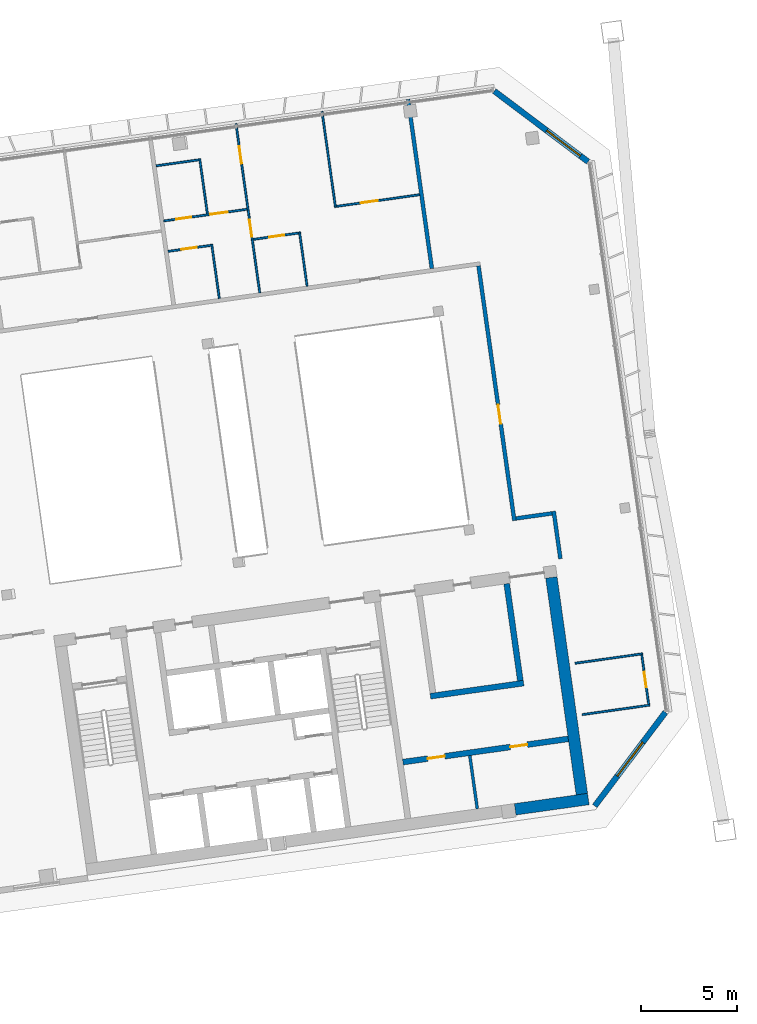
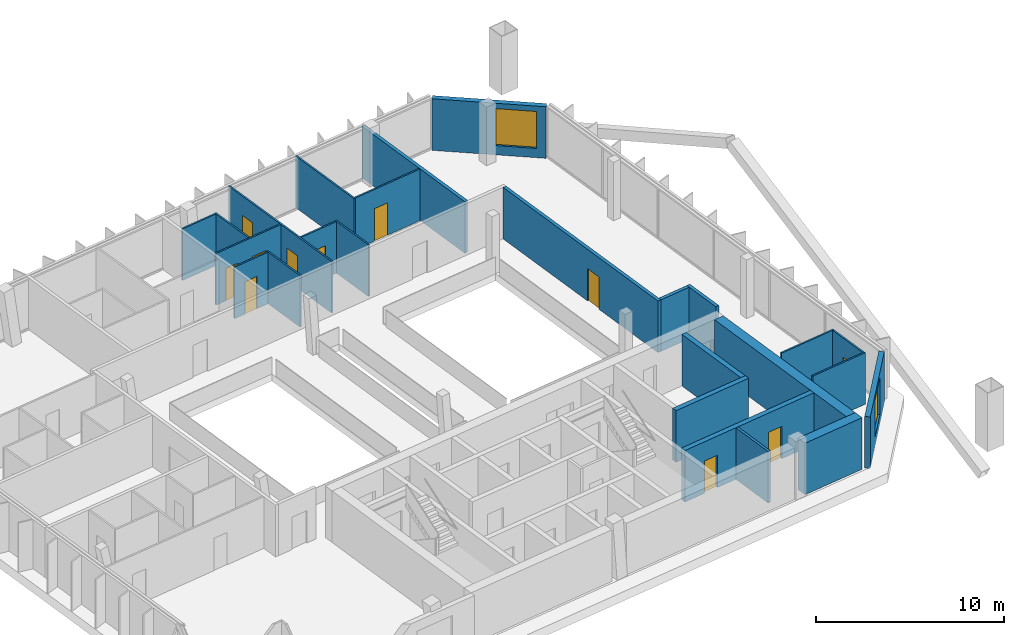
# One storey, part 16 of 19: 25 walls, 11 doors, 2 windows, 13 openings.
"""IFC4 building model written with IfcOpenShell, lengths in metres."""

from ifc_helpers import new_model, si_unit, direction, frame, frame_2d, origin, place, context, subcontext, project, spatial, rectangle, extrude, material, layer, layer_set, type_object, element, fill, save


model = new_model("IFC4")

# Units and contexts
model_context = context("Model", 3, precision=1e-05, world=origin(), true_north=direction((0.0, 1.0)))
body_context = subcontext(model_context, "Body", "Model", "MODEL_VIEW")
ifc_project = project(units=[si_unit("LENGTHUNIT", "METRE"), si_unit("AREAUNIT", "SQUARE_METRE"), si_unit("VOLUMEUNIT", "CUBIC_METRE"), si_unit("PLANEANGLEUNIT", "RADIAN"), si_unit("MASSUNIT", "GRAM", prefix="KILO")], contexts=[model_context])

# Site, building, storey
site_placement = place(None, origin())
site = spatial("IfcSite", under=ifc_project, at=site_placement, CompositionType="ELEMENT")
building_placement = place(site_placement, origin())
building = spatial("IfcBuilding", under=site, at=building_placement, Name="Mirante Cascada Hotel Towers", CompositionType="ELEMENT")
storey_placement = place(building_placement, frame((0.0, 0.0, 239.4)))
storey = spatial("IfcBuildingStorey", under=building, at=storey_placement, Name="L57", CompositionType="ELEMENT", Elevation=239.4)

# Walls
ifc_material_1 = material(Name="Fire-rated plasterboard on metal studs")
ifc_layer_1 = layer(ifc_material_1, 0.2)
ifc_layer_set_1 = layer_set([ifc_layer_1], Name="Compartment wall 200 EI 120")
wall_type_1 = type_object("IfcWallType", Name="Compartment wall 200 EI 120", PredefinedType="PARTITIONING", material=ifc_layer_set_1)
wall_1_placement = place(storey_placement, frame((59.6861, -1.2613, 0.0), z_axis=(0.0, 0.0, 1.0), x_axis=(0.9902701, 0.1391589, 0.0)))
element("IfcWall", 1, at=wall_1_placement, inside=storey, type_object=wall_type_1, Name="Wall 2-L57-06", PredefinedType="PARTITIONING", context=body_context, shape_type="SweptSolid", body=[
    extrude(rectangle(XDim=1.9, YDim=0.2, at=frame_2d((0.95, 0.0))), origin(), (0.0, 0.0, 1.0), 3.35),
])
wall_2_placement = place(storey_placement, frame((55.305, 11.7556, 0.0), z_axis=(0.0, 0.0, 1.0), x_axis=(-0.1391794, 0.9902672, 0.0)))
element("IfcWall", 2, at=wall_2_placement, inside=storey, type_object=wall_type_1, Name="Wall 2-L57-42", PredefinedType="PARTITIONING", context=body_context, shape_type="SweptSolid", body=[
    extrude(rectangle(XDim=8.9, YDim=0.2, at=frame_2d((4.45, 0.0))), origin(), (0.0, 0.0, 1.0), 3.35),
])

# Wall, opening, door
wall_3_placement = place(storey_placement, frame((57.7361, 11.8953, 0.0), z_axis=(0.0, 0.0, 1.0), x_axis=(0.1391726, -0.9902681, 0.0)))
wall_3 = element("IfcWall", 3, at=wall_3_placement, inside=storey, type_object=wall_type_1, Name="Wall 2-L57-43", PredefinedType="PARTITIONING", context=body_context, shape_type="SweptSolid", body=[
    extrude(rectangle(XDim=13.3999, YDim=0.2, at=frame_2d((6.7, 0.0))), origin(), (0.0, 0.0, 1.0), 3.35),
])
opening_1_placement = place(wall_3_placement, frame((7.3, 0.0, 0.0)))
opening_1 = element("IfcOpeningElement", 4, at=opening_1_placement, cuts=wall_3, Name="Opening D2-L57-26", PredefinedType="OPENING", context=body_context, shape_type="SweptSolid", body=[
    extrude(rectangle(XDim=1.0, YDim=2.1, at=frame_2d((0.5, 1.05))), frame((0.0, 0.1, 0.0), z_axis=(0.0, -1.0, 0.0), x_axis=(1.0, 0.0, 0.0)), (0.0, 0.0, 1.0), 0.2),
])
ifc_material_2 = material(Name="Fire-rated timber door leaf", Category="wood")
door_type_1 = type_object("IfcDoorType", Name="Entrance door DG1 1000x2100 EI 60", OperationType="SINGLE_SWING_LEFT", PredefinedType="DOOR", material=ifc_material_2)
door_1_placement = place(opening_1_placement, origin())
door_1 = element("IfcDoor", 5, at=door_1_placement, inside=storey, type_object=door_type_1, Name="Door D2-L57-26", OperationType="SINGLE_SWING_LEFT", OverallHeight=2.1, OverallWidth=1.0, PredefinedType="DOOR", context=body_context, shape_type="SweptSolid", body=[
    extrude(rectangle(XDim=1.0, YDim=2.1, at=frame_2d((0.5, 1.05))), frame((0.0, 0.025, 0.0), z_axis=(0.0, -1.0, 0.0), x_axis=(1.0, 0.0, 0.0)), (0.0, 0.0, 1.0), 0.05),
])
fill(opening_1, door_1)

# Walls
wall_4_placement = place(storey_placement, frame((62.0006, -3.3596, 0.0), z_axis=(0.0, 0.0, 1.0), x_axis=(-0.1391586, 0.9902701, 0.0)))
element("IfcWall", 6, at=wall_4_placement, inside=storey, type_object=wall_type_1, Name="Wall 2-L57-44", PredefinedType="PARTITIONING", context=body_context, shape_type="SweptSolid", body=[
    extrude(rectangle(XDim=2.5, YDim=0.2, at=frame_2d((1.25, 0.0))), origin(), (0.0, 0.0, 1.0), 3.35),
])
ifc_material_3 = material(Name="Masonry block", Category="masonry")
ifc_layer_2 = layer(ifc_material_3, 0.15)
ifc_layer_set_2 = layer_set([ifc_layer_2], Name="Core room partition 150 block EI 30")
wall_type_2 = type_object("IfcWallType", Name="Core room partition 150 block EI 30", PredefinedType="PARTITIONING", material=ifc_layer_set_2)
wall_5_placement = place(storey_placement, frame((57.6718, -16.3889, 0.0), z_axis=(0.0, 0.0, 1.0), x_axis=(-0.139141, 0.9902726, 0.0)))
element("IfcWall", 7, at=wall_5_placement, inside=storey, type_object=wall_type_2, Name="Core wall partition T2 L57 5", PredefinedType="PARTITIONING", context=body_context, shape_type="SweptSolid", body=[
    extrude(rectangle(XDim=2.8, YDim=0.15, at=frame_2d((1.4, 0.0))), origin(), (0.0, 0.0, 1.0), 3.35),
])

# Wall, openings, doors
ifc_material_4 = material(Name="Masonry block", Category="masonry")
ifc_layer_3 = layer(ifc_material_4, 0.3)
ifc_layer_set_3 = layer_set([ifc_layer_3], Name="Core wall 300 block EI 120")
wall_type_3 = type_object("IfcWallType", Name="Core wall 300 block EI 120", PredefinedType="PARTITIONING", material=ifc_layer_set_3)
wall_6_placement = place(storey_placement, frame((53.7953, -13.9547, 0.0), z_axis=(0.0, 0.0, 1.0), x_axis=(0.9902683, 0.1391714, 0.0)))
wall_6 = element("IfcWall", 8, at=wall_6_placement, inside=storey, type_object=wall_type_3, Name="Core wall partition T2 L57 4", PredefinedType="PARTITIONING", context=body_context, shape_type="SweptSolid", body=[
    extrude(rectangle(XDim=8.7001, YDim=0.3, at=frame_2d((4.3501, 0.0))), origin(), (0.0, 0.0, 1.0), 3.35),
])
opening_2_placement = place(wall_6_placement, frame((1.3, 0.0, 0.0)))
opening_2 = element("IfcOpeningElement", 9, at=opening_2_placement, cuts=wall_6, Name="Opening D2-57-C17", PredefinedType="OPENING", context=body_context, shape_type="SweptSolid", body=[
    extrude(rectangle(XDim=0.9, YDim=2.1, at=frame_2d((0.45, 1.05))), frame((0.0, 0.15, 0.0), z_axis=(0.0, -1.0, 0.0), x_axis=(1.0, 0.0, 0.0)), (0.0, 0.0, 1.0), 0.3),
])
opening_3_placement = place(wall_6_placement, frame((5.65, 0.0, 0.0)))
opening_3 = element("IfcOpeningElement", 10, at=opening_3_placement, cuts=wall_6, Name="Opening D2-57-C18", PredefinedType="OPENING", context=body_context, shape_type="SweptSolid", body=[
    extrude(rectangle(XDim=0.9, YDim=2.1, at=frame_2d((0.45, 1.05))), frame((0.0, 0.15, 0.0), z_axis=(0.0, -1.0, 0.0), x_axis=(1.0, 0.0, 0.0)), (0.0, 0.0, 1.0), 0.3),
])
ifc_material_5 = material(Name="Hollow metal fire door leaf")
door_type_2 = type_object("IfcDoorType", Name="Fire door 900x2100 FD60", OperationType="NOTDEFINED", PredefinedType="DOOR", material=ifc_material_5)
door_2_placement = place(opening_2_placement, frame((0.9, 0.0, 0.0), z_axis=(0.0, 0.0, 1.0), x_axis=(-1.0, 0.0, 0.0)))
door_2 = element("IfcDoor", 11, at=door_2_placement, inside=storey, type_object=door_type_2, Name="Room door T2 L57 17", OperationType="SINGLE_SWING_LEFT", OverallHeight=2.1, OverallWidth=0.9, PredefinedType="DOOR", context=body_context, shape_type="SweptSolid", body=[
    extrude(rectangle(XDim=0.9, YDim=2.1, at=frame_2d((0.45, 1.05))), frame((0.0, 0.025, 0.0), z_axis=(0.0, -1.0, 0.0), x_axis=(1.0, 0.0, 0.0)), (0.0, 0.0, 1.0), 0.05),
])
fill(opening_2, door_2)
door_3_placement = place(opening_3_placement, frame((0.9, 0.0, 0.0), z_axis=(0.0, 0.0, 1.0), x_axis=(-1.0, 0.0, 0.0)))
door_3 = element("IfcDoor", 12, at=door_3_placement, inside=storey, type_object=door_type_2, Name="Room door T2 L57 18", OperationType="SINGLE_SWING_RIGHT", OverallHeight=2.1, OverallWidth=0.9, PredefinedType="DOOR", context=body_context, shape_type="SweptSolid", body=[
    extrude(rectangle(XDim=0.9, YDim=2.1, at=frame_2d((0.45, 1.05))), frame((0.0, 0.025, 0.0), z_axis=(0.0, -1.0, 0.0), x_axis=(1.0, 0.0, 0.0)), (0.0, 0.0, 1.0), 0.05),
])
fill(opening_3, door_3)

# Walls
ifc_material_6 = material(Name="Plasterboard on metal studs")
ifc_layer_4 = layer(ifc_material_6, 0.1)
ifc_layer_set_4 = layer_set([ifc_layer_4], Name="Partition 100")
wall_type_4 = type_object("IfcWallType", Name="Partition 100", PredefinedType="PARTITIONING", material=ifc_layer_set_4)
wall_7_placement = place(storey_placement, frame((63.1419, -11.4798, 0.0), z_axis=(0.0, 0.0, 1.0), x_axis=(0.9902664, 0.1391849, 0.0)))
element("IfcWall", 13, at=wall_7_placement, inside=storey, type_object=wall_type_4, Name="Wall 2-L57-02", PredefinedType="PARTITIONING", context=body_context, shape_type="SweptSolid", body=[
    extrude(rectangle(XDim=3.55, YDim=0.1, at=frame_2d((1.775, 0.0))), origin(), (0.0, 0.0, 1.0), 3.35),
])
wall_8_placement = place(storey_placement, frame((66.2816, -8.312, 0.0), z_axis=(0.0, 0.0, 1.0), x_axis=(-0.990267, -0.139181, 0.0)))
element("IfcWall", 14, at=wall_8_placement, inside=storey, type_object=wall_type_4, Name="Wall 2-L57-03", PredefinedType="PARTITIONING", context=body_context, shape_type="SweptSolid", body=[
    extrude(rectangle(XDim=3.5501, YDim=0.1, at=frame_2d((1.775, 0.0))), origin(), (0.0, 0.0, 1.0), 3.35),
])

# Wall, opening, door
wall_9_placement = place(storey_placement, frame((41.5658, 12.6522, 0.0), z_axis=(0.0, 0.0, 1.0), x_axis=(0.9902643, 0.1391997, 0.0)))
wall_9 = element("IfcWall", 15, at=wall_9_placement, inside=storey, type_object=wall_type_4, Name="Wall 2-L57-16", PredefinedType="PARTITIONING", context=body_context, shape_type="SweptSolid", body=[
    extrude(rectangle(XDim=2.25, YDim=0.1, at=frame_2d((1.125, 0.0))), origin(), (0.0, 0.0, 1.0), 3.35),
])
opening_4_placement = place(wall_9_placement, frame((0.7, 0.0, 0.0)))
opening_4 = element("IfcOpeningElement", 16, at=opening_4_placement, cuts=wall_9, Name="Opening D2-L57-09", PredefinedType="OPENING", context=body_context, shape_type="SweptSolid", body=[
    extrude(rectangle(XDim=0.8, YDim=2.1, at=frame_2d((0.4, 1.05))), frame((0.0, 0.05, 0.0), z_axis=(0.0, -1.0, 0.0), x_axis=(1.0, 0.0, 0.0)), (0.0, 0.0, 1.0), 0.1),
])
ifc_material_7 = material(Name="Timber door leaf", Category="wood")
door_type_3 = type_object("IfcDoorType", Name="Bathroom door DG4 800x2100", OperationType="SINGLE_SWING_LEFT", PredefinedType="DOOR", material=ifc_material_7)
door_4_placement = place(opening_4_placement, frame((0.8, 0.0, 0.0), z_axis=(0.0, 0.0, 1.0), x_axis=(-1.0, 0.0, 0.0)))
door_4 = element("IfcDoor", 17, at=door_4_placement, inside=storey, type_object=door_type_3, Name="Door D2-L57-09", OperationType="SINGLE_SWING_RIGHT", OverallHeight=2.1, OverallWidth=0.8, PredefinedType="DOOR", context=body_context, shape_type="SweptSolid", body=[
    extrude(rectangle(XDim=0.8, YDim=2.1, at=frame_2d((0.4, 1.05))), frame((0.0, 0.025, 0.0), z_axis=(0.0, -1.0, 0.0), x_axis=(1.0, 0.0, 0.0)), (0.0, 0.0, 1.0), 0.05),
])
fill(opening_4, door_4)

wall_10_placement = place(storey_placement, frame((48.3663, 13.608, 0.0), z_axis=(0.0, 0.0, 1.0), x_axis=(-0.9902674, -0.1391779, 0.0)))
wall_10 = element("IfcWall", 18, at=wall_10_placement, inside=storey, type_object=wall_type_4, Name="Wall 2-L57-17", PredefinedType="PARTITIONING", context=body_context, shape_type="SweptSolid", body=[
    extrude(rectangle(XDim=2.3905, YDim=0.1, at=frame_2d((1.1952, 0.0))), origin(), (0.0, 0.0, 1.0), 3.35),
])
opening_5_placement = place(wall_10_placement, frame((0.75, 0.0, 0.0)))
opening_5 = element("IfcOpeningElement", 19, at=opening_5_placement, cuts=wall_10, Name="Opening D2-L57-10", PredefinedType="OPENING", context=body_context, shape_type="SweptSolid", body=[
    extrude(rectangle(XDim=0.8, YDim=2.1, at=frame_2d((0.4, 1.05))), frame((0.0, 0.05, 0.0), z_axis=(0.0, -1.0, 0.0), x_axis=(1.0, 0.0, 0.0)), (0.0, 0.0, 1.0), 0.1),
])
door_5_placement = place(opening_5_placement, frame((0.8, 0.0, 0.0), z_axis=(0.0, 0.0, 1.0), x_axis=(-1.0, 0.0, 0.0)))
door_5 = element("IfcDoor", 20, at=door_5_placement, inside=storey, type_object=door_type_3, Name="Door D2-L57-10", OperationType="SINGLE_SWING_RIGHT", OverallHeight=2.1, OverallWidth=0.8, PredefinedType="DOOR", context=body_context, shape_type="SweptSolid", body=[
    extrude(rectangle(XDim=0.8, YDim=2.1, at=frame_2d((0.4, 1.05))), frame((0.0, 0.025, 0.0), z_axis=(0.0, -1.0, 0.0), x_axis=(1.0, 0.0, 0.0)), (0.0, 0.0, 1.0), 0.05),
])
fill(opening_5, door_5)

wall_11_placement = place(storey_placement, frame((54.6631, 15.6038, 0.0), z_axis=(0.0, 0.0, 1.0), x_axis=(-0.9902664, -0.1391852, 0.0)))
wall_11 = element("IfcWall", 21, at=wall_11_placement, inside=storey, type_object=wall_type_4, Name="Wall 2-L57-19", PredefinedType="PARTITIONING", context=body_context, shape_type="SweptSolid", body=[
    extrude(rectangle(XDim=4.3769, YDim=0.1, at=frame_2d((2.1884, 0.0))), origin(), (0.0, 0.0, 1.0), 3.35),
])
opening_6_placement = place(wall_11_placement, frame((2.2, 0.0, 0.0)))
opening_6 = element("IfcOpeningElement", 22, at=opening_6_placement, cuts=wall_11, Name="Opening D2-L57-12", PredefinedType="OPENING", context=body_context, shape_type="SweptSolid", body=[
    extrude(rectangle(XDim=0.9, YDim=2.1, at=frame_2d((0.45, 1.05))), frame((0.0, 0.05, 0.0), z_axis=(0.0, -1.0, 0.0), x_axis=(1.0, 0.0, 0.0)), (0.0, 0.0, 1.0), 0.1),
])
ifc_material_8 = material(Name="Timber door leaf", Category="wood")
door_type_4 = type_object("IfcDoorType", Name="Room door DG3 900x2100", OperationType="SINGLE_SWING_LEFT", PredefinedType="DOOR", material=ifc_material_8)
door_6_placement = place(opening_6_placement, frame((0.9, 0.0, 0.0), z_axis=(0.0, 0.0, 1.0), x_axis=(-1.0, 0.0, 0.0)))
door_6 = element("IfcDoor", 23, at=door_6_placement, inside=storey, type_object=door_type_4, Name="Door D2-L57-12", OperationType="SINGLE_SWING_RIGHT", OverallHeight=2.1, OverallWidth=0.9, PredefinedType="DOOR", context=body_context, shape_type="SweptSolid", body=[
    extrude(rectangle(XDim=0.9, YDim=2.1, at=frame_2d((0.45, 1.05))), frame((0.0, 0.025, 0.0), z_axis=(0.0, -1.0, 0.0), x_axis=(1.0, 0.0, 0.0)), (0.0, 0.0, 1.0), 0.05),
])
fill(opening_6, door_6)

# Wall, openings, doors
wall_12_placement = place(storey_placement, frame((45.6774, 14.8458, 0.0), z_axis=(0.0, 0.0, 1.0), x_axis=(-0.9902695, -0.1391628, 0.0)))
wall_12 = element("IfcWall", 24, at=wall_12_placement, inside=storey, type_object=wall_type_4, Name="Wall 2-L57-21", PredefinedType="PARTITIONING", context=body_context, shape_type="SweptSolid", body=[
    extrude(rectangle(XDim=4.3769, YDim=0.1, at=frame_2d((2.1884, 0.0))), origin(), (0.0, 0.0, 1.0), 3.35),
])
opening_7_placement = place(wall_12_placement, frame((2.9269, 0.0, 0.0)))
opening_7 = element("IfcOpeningElement", 25, at=opening_7_placement, cuts=wall_12, Name="Opening D2-L57-13", PredefinedType="OPENING", context=body_context, shape_type="SweptSolid", body=[
    extrude(rectangle(XDim=0.8, YDim=2.1, at=frame_2d((0.4, 1.05))), frame((0.0, 0.05, 0.0), z_axis=(0.0, -1.0, 0.0), x_axis=(1.0, 0.0, 0.0)), (0.0, 0.0, 1.0), 0.1),
])
opening_8_placement = place(wall_12_placement, frame((1.0269, 0.0, 0.0)))
opening_8 = element("IfcOpeningElement", 26, at=opening_8_placement, cuts=wall_12, Name="Opening D2-L57-14", PredefinedType="OPENING", context=body_context, shape_type="SweptSolid", body=[
    extrude(rectangle(XDim=0.9, YDim=2.1, at=frame_2d((0.45, 1.05))), frame((0.0, 0.05, 0.0), z_axis=(0.0, -1.0, 0.0), x_axis=(1.0, 0.0, 0.0)), (0.0, 0.0, 1.0), 0.1),
])
door_7_placement = place(opening_7_placement, origin())
door_7 = element("IfcDoor", 27, at=door_7_placement, inside=storey, type_object=door_type_3, Name="Door D2-L57-13", OperationType="SINGLE_SWING_LEFT", OverallHeight=2.1, OverallWidth=0.8, PredefinedType="DOOR", context=body_context, shape_type="SweptSolid", body=[
    extrude(rectangle(XDim=0.8, YDim=2.1, at=frame_2d((0.4, 1.05))), frame((0.0, 0.025, 0.0), z_axis=(0.0, -1.0, 0.0), x_axis=(1.0, 0.0, 0.0)), (0.0, 0.0, 1.0), 0.05),
])
fill(opening_7, door_7)
door_8_placement = place(opening_8_placement, frame((0.9, 0.0, 0.0), z_axis=(0.0, 0.0, 1.0), x_axis=(-1.0, 0.0, 0.0)))
door_8 = element("IfcDoor", 28, at=door_8_placement, inside=storey, type_object=door_type_4, Name="Door D2-L57-14", OperationType="SINGLE_SWING_RIGHT", OverallHeight=2.1, OverallWidth=0.9, PredefinedType="DOOR", context=body_context, shape_type="SweptSolid", body=[
    extrude(rectangle(XDim=0.9, YDim=2.1, at=frame_2d((0.45, 1.05))), frame((0.0, 0.025, 0.0), z_axis=(0.0, -1.0, 0.0), x_axis=(1.0, 0.0, 0.0)), (0.0, 0.0, 1.0), 0.05),
])
fill(opening_8, door_8)

# Walls
wall_13_placement = place(storey_placement, frame((43.1676, 17.4216, 0.0), z_axis=(0.0, 0.0, 1.0), x_axis=(-0.9902643, -0.1391997, 0.0)))
element("IfcWall", 29, at=wall_13_placement, inside=storey, type_object=wall_type_4, Name="Wall 2-L57-23", PredefinedType="PARTITIONING", context=body_context, shape_type="SweptSolid", body=[
    extrude(rectangle(XDim=2.25, YDim=0.1, at=frame_2d((1.125, 0.0))), origin(), (0.0, 0.0, 1.0), 3.35),
])
wall_14_placement = place(storey_placement, frame((43.8364, 13.0218, 0.0), z_axis=(0.0, 0.0, 1.0), x_axis=(0.1391957, -0.9902649, 0.0)))
element("IfcWall", 30, at=wall_14_placement, inside=storey, type_object=wall_type_4, Name="Wall 2-L57-37", PredefinedType="PARTITIONING", context=body_context, shape_type="SweptSolid", body=[
    extrude(rectangle(XDim=2.8499, YDim=0.1, at=frame_2d((1.425, 0.0))), origin(), (0.0, 0.0, 1.0), 3.35),
])
wall_15_placement = place(storey_placement, frame((43.6137, 14.6063, 0.0), z_axis=(0.0, 0.0, 1.0), x_axis=(-0.1391714, 0.9902683, 0.0)))
element("IfcWall", 31, at=wall_15_placement, inside=storey, type_object=wall_type_4, Name="Wall 2-L57-38", PredefinedType="PARTITIONING", context=body_context, shape_type="SweptSolid", body=[
    extrude(rectangle(XDim=2.9, YDim=0.1, at=frame_2d((1.45, 0.0))), origin(), (0.0, 0.0, 1.0), 3.35),
])

# Wall, openings, doors
wall_16_placement = place(storey_placement, frame((45.1006, 19.309, 0.0), z_axis=(0.0, 0.0, 1.0), x_axis=(0.1391794, -0.9902672, 0.0)))
wall_16 = element("IfcWall", 32, at=wall_16_placement, inside=storey, type_object=wall_type_4, Name="Wall 2-L57-39", PredefinedType="PARTITIONING", context=body_context, shape_type="SweptSolid", body=[
    extrude(rectangle(XDim=8.9, YDim=0.1, at=frame_2d((4.45, 0.0))), origin(), (0.0, 0.0, 1.0), 3.35),
])
opening_9_placement = place(wall_16_placement, frame((5.05, 0.0, 0.0)))
opening_9 = element("IfcOpeningElement", 33, at=opening_9_placement, cuts=wall_16, Name="Opening D2-L57-24", PredefinedType="OPENING", context=body_context, shape_type="SweptSolid", body=[
    extrude(rectangle(XDim=0.9, YDim=2.1, at=frame_2d((0.45, 1.05))), frame((0.0, 0.05, 0.0), z_axis=(0.0, -1.0, 0.0), x_axis=(1.0, 0.0, 0.0)), (0.0, 0.0, 1.0), 0.1),
])
opening_10_placement = place(wall_16_placement, frame((1.2, 0.0, 0.0)))
opening_10 = element("IfcOpeningElement", 34, at=opening_10_placement, cuts=wall_16, Name="Opening D2-L57-25", PredefinedType="OPENING", context=body_context, shape_type="SweptSolid", body=[
    extrude(rectangle(XDim=0.9, YDim=2.1, at=frame_2d((0.45, 1.05))), frame((0.0, 0.05, 0.0), z_axis=(0.0, -1.0, 0.0), x_axis=(1.0, 0.0, 0.0)), (0.0, 0.0, 1.0), 0.1),
])
door_9_placement = place(opening_9_placement, origin())
door_9 = element("IfcDoor", 35, at=door_9_placement, inside=storey, type_object=door_type_4, Name="Door D2-L57-24", OperationType="SINGLE_SWING_LEFT", OverallHeight=2.1, OverallWidth=0.9, PredefinedType="DOOR", context=body_context, shape_type="SweptSolid", body=[
    extrude(rectangle(XDim=0.9, YDim=2.1, at=frame_2d((0.45, 1.05))), frame((0.0, 0.025, 0.0), z_axis=(0.0, -1.0, 0.0), x_axis=(1.0, 0.0, 0.0)), (0.0, 0.0, 1.0), 0.05),
])
fill(opening_9, door_9)
door_10_placement = place(opening_10_placement, origin())
door_10 = element("IfcDoor", 36, at=door_10_placement, inside=storey, type_object=door_type_4, Name="Door D2-L57-25", OperationType="SINGLE_SWING_LEFT", OverallHeight=2.1, OverallWidth=0.9, PredefinedType="DOOR", context=body_context, shape_type="SweptSolid", body=[
    extrude(rectangle(XDim=0.9, YDim=2.1, at=frame_2d((0.45, 1.05))), frame((0.0, 0.025, 0.0), z_axis=(0.0, -1.0, 0.0), x_axis=(1.0, 0.0, 0.0)), (0.0, 0.0, 1.0), 0.05),
])
fill(opening_10, door_10)

# Walls
wall_17_placement = place(storey_placement, frame((48.8055, 10.8422, 0.0), z_axis=(0.0, 0.0, 1.0), x_axis=(-0.1391564, 0.9902704, 0.0)))
element("IfcWall", 37, at=wall_17_placement, inside=storey, type_object=wall_type_4, Name="Wall 2-L57-40", PredefinedType="PARTITIONING", context=body_context, shape_type="SweptSolid", body=[
    extrude(rectangle(XDim=2.85, YDim=0.1, at=frame_2d((1.425, 0.0))), origin(), (0.0, 0.0, 1.0), 3.35),
])
wall_18_placement = place(storey_placement, frame((49.5835, 19.939, 0.0), z_axis=(0.0, 0.0, 1.0), x_axis=(0.1391671, -0.9902689, 0.0)))
element("IfcWall", 38, at=wall_18_placement, inside=storey, type_object=wall_type_4, Name="Wall 2-L57-41", PredefinedType="PARTITIONING", context=body_context, shape_type="SweptSolid", body=[
    extrude(rectangle(XDim=5.05, YDim=0.1, at=frame_2d((2.525, 0.0))), origin(), (0.0, 0.0, 1.0), 3.35),
])

# Wall, opening, door
wall_19_placement = place(storey_placement, frame((66.239, -8.3685, 0.0), z_axis=(0.0, 0.0, 1.0), x_axis=(0.1391541, -0.9902707, 0.0)))
wall_19 = element("IfcWall", 39, at=wall_19_placement, inside=storey, type_object=wall_type_4, Name="Wall 2-L57-45", PredefinedType="PARTITIONING", context=body_context, shape_type="SweptSolid", body=[
    extrude(rectangle(XDim=2.6, YDim=0.1, at=frame_2d((1.3, 0.0))), origin(), (0.0, 0.0, 1.0), 3.35),
])
opening_11_placement = place(wall_19_placement, frame((0.9, 0.0, 0.0)))
opening_11 = element("IfcOpeningElement", 40, at=opening_11_placement, cuts=wall_19, Name="Opening D2-L57-27", PredefinedType="OPENING", context=body_context, shape_type="SweptSolid", body=[
    extrude(rectangle(XDim=0.8, YDim=2.1, at=frame_2d((0.4, 1.05))), frame((0.0, 0.05, 0.0), z_axis=(0.0, -1.0, 0.0), x_axis=(1.0, 0.0, 0.0)), (0.0, 0.0, 1.0), 0.1),
])
door_11_placement = place(opening_11_placement, frame((0.8, 0.0, 0.0), z_axis=(0.0, 0.0, 1.0), x_axis=(-1.0, 0.0, 0.0)))
door_11 = element("IfcDoor", 41, at=door_11_placement, inside=storey, type_object=door_type_3, Name="Door D2-L57-27", OperationType="SINGLE_SWING_RIGHT", OverallHeight=2.1, OverallWidth=0.8, PredefinedType="DOOR", context=body_context, shape_type="SweptSolid", body=[
    extrude(rectangle(XDim=0.8, YDim=2.1, at=frame_2d((0.4, 1.05))), frame((0.0, 0.025, 0.0), z_axis=(0.0, -1.0, 0.0), x_axis=(1.0, 0.0, 0.0)), (0.0, 0.0, 1.0), 0.05),
])
fill(opening_11, door_11)

# Wall, opening, window
ifc_material_9 = material(Name="Precast concrete C40/50", Category="concrete")
ifc_layer_5 = layer(ifc_material_9, 0.3)
ifc_layer_set_5 = layer_set([ifc_layer_5], Name="Precast concrete C40/50 cladding wall 300")
wall_type_5 = type_object("IfcWallType", Name="Precast concrete C40/50 cladding wall 300", PredefinedType="STANDARD", material=ifc_layer_set_5)
wall_20_placement = place(storey_placement, frame((63.7926, -16.2417, 0.0), z_axis=(0.0, 0.0, 1.0), x_axis=(0.6018245, 0.7986283, 0.0)))
wall_20 = element("IfcWall", 42, at=wall_20_placement, inside=storey, type_object=wall_type_5, Name="Corner cladding wall T2 L57 rear outer", PredefinedType="STANDARD", context=body_context, shape_type="SweptSolid", body=[
    extrude(rectangle(XDim=6.1157, YDim=0.3, at=frame_2d((3.0578, 0.0))), origin(), (0.0, 0.0, 1.0), 3.35),
])
opening_12_placement = place(wall_20_placement, frame((1.9578, 0.0, 0.6)))
opening_12 = element("IfcOpeningElement", 43, at=opening_12_placement, cuts=wall_20, Name="Opening W2-57-03", PredefinedType="OPENING", context=body_context, shape_type="SweptSolid", body=[
    extrude(rectangle(XDim=2.2, YDim=2.4, at=frame_2d((1.1, 1.2))), frame((0.0, 0.15, 0.0), z_axis=(0.0, -1.0, 0.0), x_axis=(1.0, 0.0, 0.0)), (0.0, 0.0, 1.0), 0.3),
])
ifc_material_10 = material(Name="Aluminium frame with clear double glazing", Category="aluminium")
window_type = type_object("IfcWindowType", Name="Corner suite window 2200x2400", PartitioningType="DOUBLE_PANEL_VERTICAL", PredefinedType="WINDOW", material=ifc_material_10)
window_1_placement = place(opening_12_placement, origin())
window_1 = element("IfcWindow", 44, at=window_1_placement, inside=storey, type_object=window_type, Name="Window W2-57-03", OverallHeight=2.4, OverallWidth=2.2, PartitioningType="SINGLE_PANEL", PredefinedType="WINDOW", context=body_context, shape_type="SweptSolid", body=[
    extrude(rectangle(XDim=2.2, YDim=2.4, at=frame_2d((1.1, 1.2))), frame((0.0, 0.03, 0.0), z_axis=(0.0, -1.0, 0.0), x_axis=(1.0, 0.0, 0.0)), (0.0, 0.0, 1.0), 0.06),
])
fill(opening_12, window_1)

wall_21_placement = place(storey_placement, frame((63.4422, 17.324, 0.0), z_axis=(0.0, 0.0, 1.0), x_axis=(-0.7986362, 0.6018141, 0.0)))
wall_21 = element("IfcWall", 45, at=wall_21_placement, inside=storey, type_object=wall_type_5, Name="Corner cladding wall T2 L57 outer front", PredefinedType="STANDARD", context=body_context, shape_type="SweptSolid", body=[
    extrude(rectangle(XDim=6.1157, YDim=0.3, at=frame_2d((3.0578, 0.0))), origin(), (0.0, 0.0, 1.0), 3.35),
])
opening_13_placement = place(wall_21_placement, frame((0.4975, 0.0, 0.6)))
opening_13 = element("IfcOpeningElement", 46, at=opening_13_placement, cuts=wall_21, Name="Opening W2-57-04", PredefinedType="OPENING", context=body_context, shape_type="SweptSolid", body=[
    extrude(rectangle(XDim=2.2, YDim=2.4, at=frame_2d((1.1, 1.2))), frame((0.0, 0.15, 0.0), z_axis=(0.0, -1.0, 0.0), x_axis=(1.0, 0.0, 0.0)), (0.0, 0.0, 1.0), 0.3),
])
window_2_placement = place(opening_13_placement, origin())
window_2 = element("IfcWindow", 47, at=window_2_placement, inside=storey, type_object=window_type, Name="Window W2-57-04", OverallHeight=2.4, OverallWidth=2.2, PartitioningType="SINGLE_PANEL", PredefinedType="WINDOW", context=body_context, shape_type="SweptSolid", body=[
    extrude(rectangle(XDim=2.2, YDim=2.4, at=frame_2d((1.1, 1.2))), frame((0.0, 0.03, 0.0), z_axis=(0.0, -1.0, 0.0), x_axis=(1.0, 0.0, 0.0)), (0.0, 0.0, 1.0), 0.06),
])
fill(opening_13, window_2)

# Walls
ifc_material_11 = material(Name="Concrete C50/60", Category="concrete")
ifc_layer_6 = layer(ifc_material_11, 0.3)
ifc_layer_set_6 = layer_set([ifc_layer_6], Name="RC core wall 300 C50/60")
wall_type_6 = type_object("IfcWallType", Name="RC core wall 300 C50/60", PredefinedType="SHEAR", material=ifc_layer_set_6)
wall_22_placement = place(storey_placement, frame((55.2315, -10.5214, 0.0), z_axis=(0.0, 0.0, 1.0), x_axis=(0.9902666, 0.1391838, 0.0)))
element("IfcWall", 48, at=wall_22_placement, inside=storey, type_object=wall_type_6, Name="Core wall T2:L57:24", PredefinedType="SHEAR", context=body_context, shape_type="SweptSolid", body=[
    extrude(rectangle(XDim=4.9, YDim=0.3, at=frame_2d((2.45, 0.0))), origin(), (0.0, 0.0, 1.0), 3.35),
])
wall_23_placement = place(storey_placement, frame((59.9144, -9.7118, 0.0), z_axis=(0.0, 0.0, 1.0), x_axis=(-0.1391755, 0.9902677, 0.0)))
element("IfcWall", 49, at=wall_23_placement, inside=storey, type_object=wall_type_6, Name="Core wall T2:L57:26", PredefinedType="SHEAR", context=body_context, shape_type="SweptSolid", body=[
    extrude(rectangle(XDim=5.1, YDim=0.3, at=frame_2d((2.55, 0.0))), origin(), (0.0, 0.0, 1.0), 3.35),
])
ifc_material_12 = material(Name="Concrete C50/60", Category="concrete")
ifc_layer_7 = layer(ifc_material_12, 0.6)
ifc_layer_set_7 = layer_set([ifc_layer_7], Name="RC core wall 600 C50/60")
wall_type_7 = type_object("IfcWallType", Name="RC core wall 600 C50/60", PredefinedType="SHEAR", material=ifc_layer_set_7)
wall_24_placement = place(storey_placement, frame((59.6446, -16.4145, 0.0), z_axis=(0.0, 0.0, 1.0), x_axis=(0.9902685, 0.1391701, 0.0)))
element("IfcWall", 50, at=wall_24_placement, inside=storey, type_object=wall_type_7, Name="Core wall T2:L57:1.3", PredefinedType="SHEAR", context=body_context, shape_type="SweptSolid", body=[
    extrude(rectangle(XDim=3.85, YDim=0.6, at=frame_2d((1.925, 0.0))), origin(), (0.0, 0.0, 1.0), 3.35),
])
wall_25_placement = place(storey_placement, frame((63.1183, -15.6234, 0.0), z_axis=(0.0, 0.0, 1.0), x_axis=(-0.1391749, 0.9902678, 0.0)))
element("IfcWall", 51, at=wall_25_placement, inside=storey, type_object=wall_type_7, Name="Core wall T2:L57:4", PredefinedType="SHEAR", context=body_context, shape_type="SweptSolid", body=[
    extrude(rectangle(XDim=11.4, YDim=0.6, at=frame_2d((5.7, 0.0))), origin(), (0.0, 0.0, 1.0), 3.35),
])

save(model, "model.ifc")
